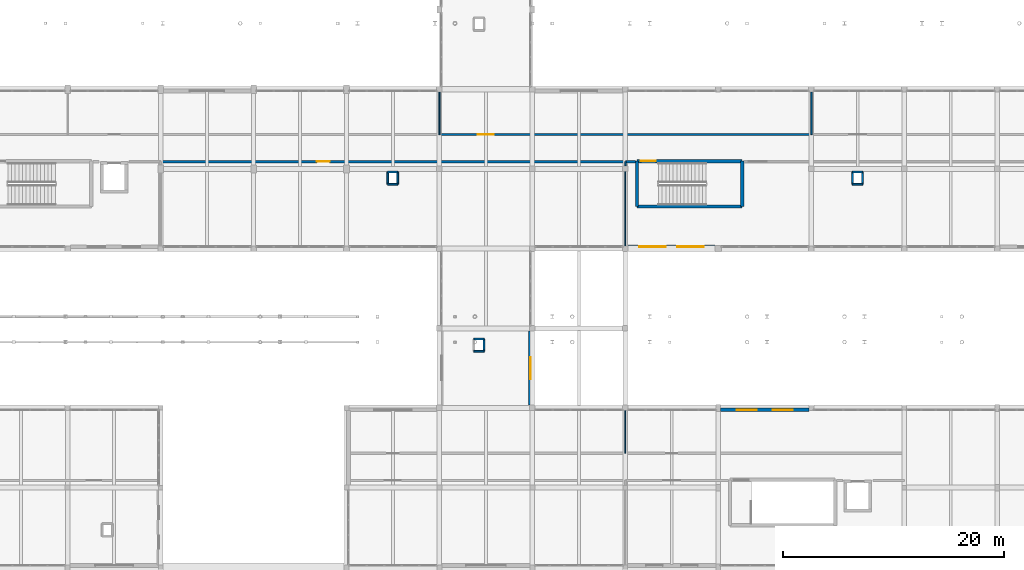
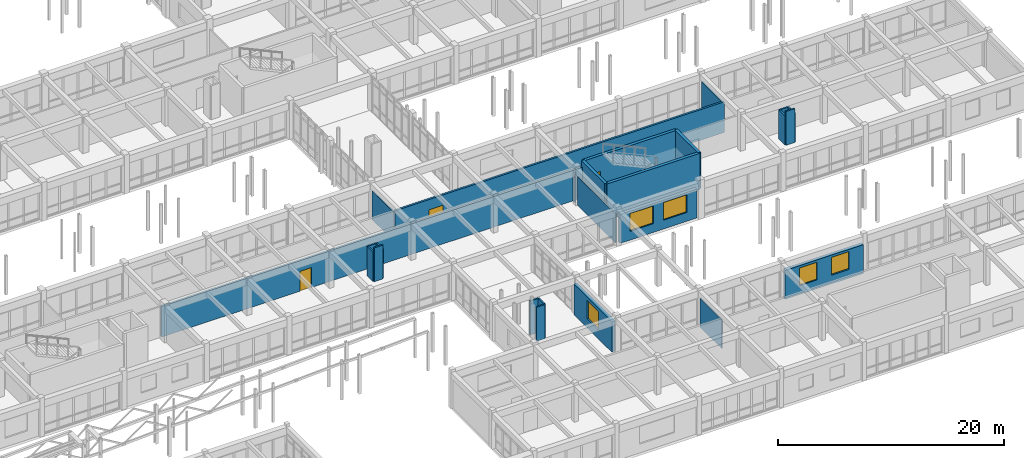
# One storey, part 128 of 147: 26 walls, 5 windows, 3 doors, 8 openings.
"""IFC4 building model written with IfcOpenShell, lengths in metres."""

import ifcopenshell
import ifcopenshell.guid

model = None  # the IFC model being written
_history = None  # IfcOwnerHistory: only IFC2X3 demands one
_inside = {}  # id of a spatial element -> (the spatial element, [elements in it])
_under = {}  # id of a project, library or spatial element -> (it, [spatial elements below it])
_declared = {}  # id of a project -> (the project, [libraries it declares])
_typed = {}  # id of a type object -> (the type object, [elements of that type])
_made_of = {}  # id of a material, layer set ... -> (it, [elements and type objects made of it])


def new_model(schema):
    """Start an empty IFC model of exactly this schema.

    Asked for "IFC4X3", IfcOpenShell would pick the latest addendum, in which some entities
    have other attributes; the version numbers below select the first issue.
    IFC2X3 requires an IfcOwnerHistory on every rooted entity: one is made here for all.
    """
    global model, _history
    if schema == "IFC4X3":
        model = ifcopenshell.file(schema_version=(4, 3, 0, 0))
    else:
        model = ifcopenshell.file(schema=schema)
    _inside.clear()
    _under.clear()
    _declared.clear()
    _typed.clear()
    _made_of.clear()
    _history = None
    if model.schema == "IFC2X3":
        org = make("IfcOrganization", Name="unknown")
        user = make(
            "IfcPersonAndOrganization",
            ThePerson=make("IfcPerson", FamilyName="unknown"),
            TheOrganization=org,
        )
        app = make(
            "IfcApplication",
            ApplicationDeveloper=org,
            Version="unknown",
            ApplicationFullName="unknown",
            ApplicationIdentifier="unknown",
        )
        _history = make(
            "IfcOwnerHistory",
            OwningUser=user,
            OwningApplication=app,
            ChangeAction="ADDED",
            CreationDate=0,
        )
    return model


def make(cls, **values):
    """One entity of the class cls with the attributes given. An attribute that is None is left unset."""
    return model.create_entity(
        cls, **{name: value for name, value in values.items() if value is not None}
    )


def rooted(cls, **values):
    """An entity with a GlobalId (a new one), such as an element, a storey or a relation."""
    return make(cls, GlobalId=ifcopenshell.guid.new(), OwnerHistory=_history, **values)


def si_unit(unit_type, name, prefix=None):
    """IfcSIUnit, for example si_unit("LENGTHUNIT", "METRE", prefix="MILLI")."""
    return make("IfcSIUnit", UnitType=unit_type, Prefix=prefix, Name=name)


def assignment(units):
    """IfcUnitAssignment: the units of a project."""
    return None if units is None else make("IfcUnitAssignment", Units=units)


def point(xyz):
    """IfcCartesianPoint."""
    return None if xyz is None else make("IfcCartesianPoint", Coordinates=xyz)


def direction(xyz):
    """IfcDirection."""
    return None if xyz is None else make("IfcDirection", DirectionRatios=xyz)


def frame(location, z_axis=None, x_axis=None):
    """IfcAxis2Placement3D, a coordinate frame: its origin and axes. An axis left out is left unset."""
    return make(
        "IfcAxis2Placement3D",
        Location=point(location),
        Axis=direction(z_axis),
        RefDirection=direction(x_axis),
    )


def frame_2d(location, x_axis=None):
    """IfcAxis2Placement2D, a coordinate frame in the plane: its origin and x axis."""
    return make(
        "IfcAxis2Placement2D", Location=point(location), RefDirection=direction(x_axis)
    )


def origin():
    """The frame at (0, 0, 0) with its axes left unset."""
    return frame((0.0, 0.0, 0.0))


def place(relative_to, where):
    """IfcLocalPlacement: puts the frame where relative to a parent placement (None: the world)."""
    return make(
        "IfcLocalPlacement", PlacementRelTo=relative_to, RelativePlacement=where
    )


def context(
    kind, dimensions, precision=None, world=None, true_north=None, identifier=None
):
    """IfcGeometricRepresentationContext, for example the 3D "Model" context."""
    return make(
        "IfcGeometricRepresentationContext",
        ContextIdentifier=identifier,
        ContextType=kind,
        CoordinateSpaceDimension=dimensions,
        Precision=precision,
        WorldCoordinateSystem=world,
        TrueNorth=true_north,
    )


def subcontext(parent, identifier, kind, view, scale=None):
    """IfcGeometricRepresentationSubContext, for example "Body" below "Model"."""
    return make(
        "IfcGeometricRepresentationSubContext",
        ContextIdentifier=identifier,
        ContextType=kind,
        ParentContext=parent,
        TargetScale=scale,
        TargetView=view,
    )


def project(units=None, contexts=None):
    """IfcProject with its units and contexts."""
    return rooted(
        "IfcProject",
        Name="project",
        RepresentationContexts=contexts,
        UnitsInContext=assignment(units),
    )


def spatial(cls, under=None, at=None, **own):
    """A site, building, storey or space (cls), placed at a placement, below another one or the project."""
    s = rooted(cls, ObjectPlacement=at, **own)
    if under is not None:
        _under.setdefault(under.id(), (under, []))[1].append(s)
    return s


def profile(cls, at=None, kind="AREA", **sizes):
    """A parametric profile (cls). Its sizes go by their IFC names, for example OverallWidth=200.0."""
    return make(cls, ProfileType=kind, Position=at, **sizes)


def rectangle(**sizes):
    """IfcRectangleProfileDef."""
    return profile("IfcRectangleProfileDef", **sizes)


def extrude(swept, where, along, depth):
    """IfcExtrudedAreaSolid: the profile swept, set in the frame where, extruded along a direction by depth."""
    return make(
        "IfcExtrudedAreaSolid",
        SweptArea=swept,
        Position=where,
        ExtrudedDirection=direction(along),
        Depth=depth,
    )


def shape(context_of_items, identifier, shape_type, items):
    """IfcShapeRepresentation: the items that make up one representation, for example the "Body"."""
    return make(
        "IfcShapeRepresentation",
        ContextOfItems=context_of_items,
        RepresentationIdentifier=identifier,
        RepresentationType=shape_type,
        Items=items,
    )


def material(Name=None, Category=None):
    """IfcMaterial."""
    return make("IfcMaterial", Name=Name, Category=Category)


def layer(
    of_material, thickness, ventilated=None, Name=None, Category=None, Priority=None
):
    """IfcMaterialLayer: one layer of a wall or slab, of a material (None: an air gap)."""
    return make(
        "IfcMaterialLayer",
        Material=of_material,
        LayerThickness=thickness,
        IsVentilated=ventilated,
        Name=Name,
        Category=Category,
        Priority=Priority,
    )


def layer_set(layers, Name=None):
    """IfcMaterialLayerSet."""
    return make("IfcMaterialLayerSet", MaterialLayers=layers, LayerSetName=Name)


def made_of(thing, what):
    """Note that an element or type object is made of a material, layer set ...; save() writes the relation."""
    if what is not None:
        _made_of.setdefault(what.id(), (what, []))[1].append(thing)
    return thing


def type_object(cls, material=None, **own):
    """A type object (cls), such as IfcWallType, which elements share."""
    return made_of(rooted(cls, **own), material)


def element(
    cls,
    number,
    at=None,
    inside=None,
    cuts=None,
    type_object=None,
    material=None,
    context=None,
    identifier="Body",
    shape_type=None,
    held_by="IfcProductDefinitionShape",
    body=None,
    shapes=None,
    **own,
):
    """One element of the class cls, such as IfcWall. Its Tag is "e" and its number.

    at: its placement. inside: the storey or other place that contains it. cuts: it is an
    opening in that element (IfcRelVoidsElement). A single representation is given by context,
    identifier, shape_type and body (its items); several are given by shapes. held_by: the class
    of the entity that holds the representations. save() writes the other relations.
    """
    e = rooted(cls, Tag="e%d" % number, ObjectPlacement=at, **own)
    if body is not None:
        shapes = [shape(context, identifier, shape_type, body)]
    if shapes is not None:
        e.Representation = make(held_by, Representations=shapes)
    if inside is not None:
        _inside.setdefault(inside.id(), (inside, []))[1].append(e)
    if cuts is not None:
        rooted(
            "IfcRelVoidsElement", RelatingBuildingElement=cuts, RelatedOpeningElement=e
        )
    if type_object is not None:
        _typed.setdefault(type_object.id(), (type_object, []))[1].append(e)
    return made_of(e, material)


def fill(opening, filler):
    """IfcRelFillsElement: the door or window that sits in an opening."""
    return rooted(
        "IfcRelFillsElement",
        RelatingOpeningElement=opening,
        RelatedBuildingElement=filler,
    )


def aggregate(whole, parts):
    """IfcRelAggregates: a whole, such as a stair, and the parts it consists of."""
    return rooted("IfcRelAggregates", RelatingObject=whole, RelatedObjects=parts)


def save(model, path):
    """Write the relations noted so far, then the file.

    IfcRelAggregates (storeys below a building ...), IfcRelContainedInSpatialStructure (elements
    in a storey), IfcRelDefinesByType, IfcRelAssociatesMaterial and IfcRelDeclares: one each for
    every whole, place, type object, material and project.
    """
    for whole, parts in _under.values():
        aggregate(whole, parts)
    for where, things in _inside.values():
        rooted(
            "IfcRelContainedInSpatialStructure",
            RelatedElements=things,
            RelatingStructure=where,
        )
    for kind, things in _typed.values():
        rooted("IfcRelDefinesByType", RelatedObjects=things, RelatingType=kind)
    for what, things in _made_of.values():
        rooted("IfcRelAssociatesMaterial", RelatedObjects=things, RelatingMaterial=what)
    for by, libraries in _declared.values():
        rooted("IfcRelDeclares", RelatingContext=by, RelatedDefinitions=libraries)
    model.write(path)


model = new_model("IFC4")

# Units and contexts
model_context = context("Model", 3, precision=1e-05, world=origin(), true_north=direction((0.0, 1.0)))
body_context = subcontext(model_context, "Body", "Model", "MODEL_VIEW")
ifc_project = project(units=[si_unit("LENGTHUNIT", "METRE"), si_unit("AREAUNIT", "SQUARE_METRE"), si_unit("VOLUMEUNIT", "CUBIC_METRE"), si_unit("PLANEANGLEUNIT", "RADIAN"), si_unit("MASSUNIT", "GRAM", prefix="KILO")], contexts=[model_context])

# Site, building, storey
site_placement = place(None, origin())
site = spatial("IfcSite", under=ifc_project, at=site_placement, CompositionType="ELEMENT")
building_placement = place(site_placement, origin())
building = spatial("IfcBuilding", under=site, at=building_placement, Name="Malvenik Polytechnic", CompositionType="ELEMENT")
storey_placement = place(building_placement, frame((0.0, 0.0, 5.10009765625)))
storey = spatial("IfcBuildingStorey", under=building, at=storey_placement, Name="L01", CompositionType="ELEMENT", Elevation=5.10009765625)

# Wall
ifc_material_1 = material(Name="Concrete C35/45", Category="concrete")
ifc_layer_1 = layer(ifc_material_1, 0.300048828125)
ifc_layer_set_1 = layer_set([ifc_layer_1], Name="Concrete C35/45")
wall_type_1 = type_object("IfcWallType", Name="ARC-CW-S300", PredefinedType="SHEAR", material=ifc_layer_set_1)
wall_1_placement = place(storey_placement, frame((93.449951171875, 54.199951171875, 0.0), z_axis=(0.0, 0.0, 1.0), x_axis=(0.0, 1.0, 0.0)))
element("IfcWall", 1, at=wall_1_placement, inside=storey, type_object=wall_type_1, Name="Stair Core Shear Wall ST-07 L01 NEAR", PredefinedType="SHEAR", context=body_context, shape_type="SweptSolid", body=[
    extrude(rectangle(XDim=4.10009765625, YDim=0.300048828125, at=frame_2d((2.050048828125, 0.0))), origin(), (0.0, 0.0, 1.0), 3.919921875),
])

# Wall, opening, door
wall_2_placement = place(storey_placement, frame((93.449951171875, 58.300048828125, 0.0), z_axis=(0.0, 0.0, 1.0), x_axis=(1.0, 0.0, 0.0)))
wall_2 = element("IfcWall", 2, at=wall_2_placement, inside=storey, type_object=wall_type_1, Name="Stair Core Shear Wall ST-07 L01 RGHT", PredefinedType="SHEAR", context=body_context, shape_type="SweptSolid", body=[
    extrude(rectangle(XDim=9.5, YDim=0.300048828125, at=frame_2d((4.75, 0.0))), origin(), (0.0, 0.0, 1.0), 3.919921875),
])
opening_1_placement = place(wall_2_placement, frame((0.35009765625, 0.0, 0.0)))
opening_1 = element("IfcOpeningElement", 3, at=opening_1_placement, cuts=wall_2, Name="Opening SD-01", PredefinedType="OPENING", context=body_context, shape_type="SweptSolid", body=[
    extrude(rectangle(XDim=1.35009765625, YDim=2.199951171875, at=frame_2d((0.675048828125, 1.10009765625))), frame((0.0, 0.16015625, 0.0), z_axis=(0.0, -1.0, 0.0), x_axis=(1.0, 0.0, 0.0)), (0.0, 0.0, 1.0), 0.320068359375),
])
ifc_material_2 = material(Name="Fire-rated steel stair enclosure door", Category="steel")
door_type_1 = type_object("IfcDoorType", Name="ARC-IDR-SD-01", OperationType="NOTDEFINED", PredefinedType="DOOR", material=ifc_material_2)
door_1_placement = place(opening_1_placement, origin())
door_1 = element("IfcDoor", 4, at=door_1_placement, inside=storey, type_object=door_type_1, Name="Fire Stair Door ST-07 L01", OperationType="SINGLE_SWING_RIGHT", OverallHeight=2.199951171875, OverallWidth=1.35009765625, PredefinedType="DOOR", context=body_context, shape_type="SweptSolid", body=[
    extrude(rectangle(XDim=1.35009765625, YDim=2.199951171875, at=frame_2d((0.675048828125, 1.10009765625))), frame((0.0, 0.02490234375, 0.0), z_axis=(0.0, -1.0, 0.0), x_axis=(1.0, 0.0, 0.0)), (0.0, 0.0, 1.0), 0.050048828125),
])
fill(opening_1, door_1)

# Walls
wall_3_placement = place(storey_placement, frame((102.949951171875, 58.300048828125, 0.0), z_axis=(0.0, 0.0, 1.0), x_axis=(0.0, -1.0, 0.0)))
element("IfcWall", 5, at=wall_3_placement, inside=storey, type_object=wall_type_1, Name="Stair Core Shear Wall ST-07 L01 FAR", PredefinedType="SHEAR", context=body_context, shape_type="SweptSolid", body=[
    extrude(rectangle(XDim=4.10009765625, YDim=0.300048828125, at=frame_2d((2.050048828125, 0.0))), origin(), (0.0, 0.0, 1.0), 3.919921875),
])
wall_4_placement = place(storey_placement, frame((102.949951171875, 54.199951171875, 0.0), z_axis=(0.0, 0.0, 1.0), x_axis=(-1.0, 0.0, 0.0)))
element("IfcWall", 6, at=wall_4_placement, inside=storey, type_object=wall_type_1, Name="Stair Core Shear Wall ST-07 L01 LEFT", PredefinedType="SHEAR", context=body_context, shape_type="SweptSolid", body=[
    extrude(rectangle(XDim=9.5, YDim=0.300048828125, at=frame_2d((4.75, 0.0))), origin(), (0.0, 0.0, 1.0), 3.919921875),
])

# Wall, openings, windows
ifc_material_3 = material(Name="Concrete C30/37", Category="concrete")
ifc_layer_2 = layer(ifc_material_3, 0.340087890625)
ifc_layer_set_2 = layer_set([ifc_layer_2], Name="Concrete C30/37")
wall_type_2 = type_object("IfcWallType", Name="ARC-EW-340", PredefinedType="SOLIDWALL", material=ifc_layer_set_2)
wall_5_placement = place(storey_placement, frame((100.501953125, 50.570068359375, 0.0), z_axis=(0.0, 0.0, 1.0), x_axis=(-1.0, 0.0, 0.0)))
wall_5 = element("IfcWall", 7, at=wall_5_placement, inside=storey, type_object=wall_type_2, Name="External Facade Wall EW-02 L01 #218", PredefinedType="SOLIDWALL", context=body_context, shape_type="SweptSolid", body=[
    extrude(rectangle(XDim=7.85400390625, YDim=0.340087890625, at=frame_2d((3.927001953125, 0.0))), origin(), (0.0, 0.0, 1.0), 3.10986328125),
])
opening_2_placement = place(wall_5_placement, frame((1.01806640625, 0.0, 0.949951171875)))
opening_2 = element("IfcOpeningElement", 8, at=opening_2_placement, cuts=wall_5, Name="Opening W-01", PredefinedType="OPENING", context=body_context, shape_type="SweptSolid", body=[
    extrude(rectangle(XDim=2.39990234375, YDim=1.909912109375, at=frame_2d((1.199951171875, 0.955078125))), frame((0.0, 0.18017578125, 0.0), z_axis=(0.0, -1.0, 0.0), x_axis=(1.0, 0.0, 0.0)), (0.0, 0.0, 1.0), 0.360107421875),
])
opening_3_placement = place(wall_5_placement, frame((4.43603515625, 0.0, 0.949951171875)))
opening_3 = element("IfcOpeningElement", 9, at=opening_3_placement, cuts=wall_5, Name="Opening W-01", PredefinedType="OPENING", context=body_context, shape_type="SweptSolid", body=[
    extrude(rectangle(XDim=2.39990234375, YDim=1.909912109375, at=frame_2d((1.199951171875, 0.955078125))), frame((0.0, 0.18017578125, 0.0), z_axis=(0.0, -1.0, 0.0), x_axis=(1.0, 0.0, 0.0)), (0.0, 0.0, 1.0), 0.360107421875),
])
ifc_material_4 = material(Name="Thermally broken aluminium frame with low-E double glazing", Category="aluminium")
window_type_1 = type_object("IfcWindowType", Name="ARC-WIN-W-01", PartitioningType="SINGLE_PANEL", PredefinedType="WINDOW", material=ifc_material_4)
window_1_placement = place(opening_2_placement, origin())
window_1 = element("IfcWindow", 10, at=window_1_placement, inside=storey, type_object=window_type_1, Name="Punched Window W-01 L01 #182", OverallHeight=1.909912109375, OverallWidth=2.39990234375, PartitioningType="SINGLE_PANEL", PredefinedType="WINDOW", context=body_context, shape_type="SweptSolid", body=[
    extrude(rectangle(XDim=2.39990234375, YDim=1.909912109375, at=frame_2d((1.199951171875, 0.955078125))), frame((0.0, 0.030029296875, 0.0), z_axis=(0.0, -1.0, 0.0), x_axis=(1.0, 0.0, 0.0)), (0.0, 0.0, 1.0), 0.06005859375),
])
fill(opening_2, window_1)
window_2_placement = place(opening_3_placement, origin())
window_2 = element("IfcWindow", 11, at=window_2_placement, inside=storey, type_object=window_type_1, Name="Punched Window W-01 L01 #183", OverallHeight=1.909912109375, OverallWidth=2.39990234375, PartitioningType="SINGLE_PANEL", PredefinedType="WINDOW", context=body_context, shape_type="SweptSolid", body=[
    extrude(rectangle(XDim=2.39990234375, YDim=1.909912109375, at=frame_2d((1.199951171875, 0.955078125))), frame((0.0, 0.030029296875, 0.0), z_axis=(0.0, -1.0, 0.0), x_axis=(1.0, 0.0, 0.0)), (0.0, 0.0, 1.0), 0.06005859375),
])
fill(opening_3, window_2)

# Wall, opening, window
wall_6_placement = place(storey_placement, frame((83.830078125, 42.951904296875, 0.0), z_axis=(0.0, 0.0, 1.0), x_axis=(0.0, -1.0, 0.0)))
wall_6 = element("IfcWall", 12, at=wall_6_placement, inside=storey, type_object=wall_type_2, Name="External Facade Wall EW-02 L01 #219", PredefinedType="SOLIDWALL", context=body_context, shape_type="SweptSolid", body=[
    extrude(rectangle(XDim=6.703857421875, YDim=0.340087890625, at=frame_2d((3.35205078125, 0.0))), origin(), (0.0, 0.0, 1.0), 3.309814453125),
])
opening_4_placement = place(wall_6_placement, frame((2.35205078125, 0.0, 0.949951171875)))
opening_4 = element("IfcOpeningElement", 13, at=opening_4_placement, cuts=wall_6, Name="Opening W-03", PredefinedType="OPENING", context=body_context, shape_type="SweptSolid", body=[
    extrude(rectangle(XDim=2.0, YDim=2.0, at=frame_2d((1.0, 1.0))), frame((0.0, 0.18017578125, 0.0), z_axis=(0.0, -1.0, 0.0), x_axis=(1.0, 0.0, 0.0)), (0.0, 0.0, 1.0), 0.360107421875),
])
window_type_2 = type_object("IfcWindowType", Name="ARC-WIN-W-03", PartitioningType="SINGLE_PANEL", PredefinedType="WINDOW", material=ifc_material_4)
window_3_placement = place(opening_4_placement, origin())
window_3 = element("IfcWindow", 14, at=window_3_placement, inside=storey, type_object=window_type_2, Name="Punched Window W-03 L01 #184", OverallHeight=2.0, OverallWidth=2.0, PartitioningType="SINGLE_PANEL", PredefinedType="WINDOW", context=body_context, shape_type="SweptSolid", body=[
    extrude(rectangle(XDim=2.0, YDim=2.0, at=frame_2d((1.0, 1.0))), frame((0.0, 0.030029296875, 0.0), z_axis=(0.0, -1.0, 0.0), x_axis=(1.0, 0.0, 0.0)), (0.0, 0.0, 1.0), 0.06005859375),
])
fill(opening_4, window_3)

# Wall, openings, windows
wall_7_placement = place(storey_placement, frame((100.998046875, 35.830078125, 0.0), z_axis=(0.0, 0.0, 1.0), x_axis=(1.0, 0.0, 0.0)))
wall_7 = element("IfcWall", 15, at=wall_7_placement, inside=storey, type_object=wall_type_2, Name="External Facade Wall EW-02 L01 #220", PredefinedType="SOLIDWALL", context=body_context, shape_type="SweptSolid", body=[
    extrude(rectangle(XDim=7.97900390625, YDim=0.340087890625, at=frame_2d((3.989501953125, 0.0))), origin(), (0.0, 0.0, 1.0), 3.10986328125),
])
opening_5_placement = place(wall_7_placement, frame((1.459716796875, 0.0, 0.949951171875)))
opening_5 = element("IfcOpeningElement", 16, at=opening_5_placement, cuts=wall_7, Name="Opening W-04", PredefinedType="OPENING", context=body_context, shape_type="SweptSolid", body=[
    extrude(rectangle(XDim=1.800048828125, YDim=1.909912109375, at=frame_2d((0.89990234375, 0.955078125))), frame((0.0, 0.18017578125, 0.0), z_axis=(0.0, -1.0, 0.0), x_axis=(1.0, 0.0, 0.0)), (0.0, 0.0, 1.0), 0.360107421875),
])
opening_6_placement = place(wall_7_placement, frame((4.719482421875, 0.0, 0.949951171875)))
opening_6 = element("IfcOpeningElement", 17, at=opening_6_placement, cuts=wall_7, Name="Opening W-04", PredefinedType="OPENING", context=body_context, shape_type="SweptSolid", body=[
    extrude(rectangle(XDim=1.800048828125, YDim=1.909912109375, at=frame_2d((0.89990234375, 0.955078125))), frame((0.0, 0.18017578125, 0.0), z_axis=(0.0, -1.0, 0.0), x_axis=(1.0, 0.0, 0.0)), (0.0, 0.0, 1.0), 0.360107421875),
])
window_type_3 = type_object("IfcWindowType", Name="ARC-WIN-W-04", PartitioningType="SINGLE_PANEL", PredefinedType="WINDOW", material=ifc_material_4)
window_4_placement = place(opening_5_placement, origin())
window_4 = element("IfcWindow", 18, at=window_4_placement, inside=storey, type_object=window_type_3, Name="Punched Window W-04 L01 #185", OverallHeight=1.909912109375, OverallWidth=1.800048828125, PartitioningType="SINGLE_PANEL", PredefinedType="WINDOW", context=body_context, shape_type="SweptSolid", body=[
    extrude(rectangle(XDim=1.800048828125, YDim=1.909912109375, at=frame_2d((0.89990234375, 0.955078125))), frame((0.0, 0.030029296875, 0.0), z_axis=(0.0, -1.0, 0.0), x_axis=(1.0, 0.0, 0.0)), (0.0, 0.0, 1.0), 0.06005859375),
])
fill(opening_5, window_4)
window_5_placement = place(opening_6_placement, origin())
window_5 = element("IfcWindow", 19, at=window_5_placement, inside=storey, type_object=window_type_3, Name="Punched Window W-04 L01 #186", OverallHeight=1.909912109375, OverallWidth=1.800048828125, PartitioningType="SINGLE_PANEL", PredefinedType="WINDOW", context=body_context, shape_type="SweptSolid", body=[
    extrude(rectangle(XDim=1.800048828125, YDim=1.909912109375, at=frame_2d((0.89990234375, 0.955078125))), frame((0.0, 0.030029296875, 0.0), z_axis=(0.0, -1.0, 0.0), x_axis=(1.0, 0.0, 0.0)), (0.0, 0.0, 1.0), 0.06005859375),
])
fill(opening_6, window_5)

# Wall, opening, door
ifc_material_5 = material(Name="Calcium silicate fire-rated blockwork 200mm", Category="masonry")
ifc_layer_3 = layer(ifc_material_5, 0.199951171875)
ifc_layer_set_3 = layer_set([ifc_layer_3], Name="Calcium silicate fire-rated blockwork 200mm")
wall_type_3 = type_object("IfcWallType", Name="ARC-FW-200", PredefinedType="SOLIDWALL", material=ifc_layer_set_3)
wall_8_placement = place(storey_placement, frame((75.60009765625, 60.699951171875, 0.0), z_axis=(0.0, 0.0, 1.0), x_axis=(1.0, 0.0, 0.0)))
wall_8 = element("IfcWall", 20, at=wall_8_placement, inside=storey, type_object=wall_type_3, Name="Interior Partition FW-02 L01 #200", PredefinedType="SOLIDWALL", context=body_context, shape_type="SweptSolid", body=[
    extrude(rectangle(XDim=33.599853515625, YDim=0.199951171875, at=frame_2d((16.7998046875, 0.0))), origin(), (0.0, 0.0, 1.0), 3.304931640625),
])
opening_7_placement = place(wall_8_placement, frame((3.47509765625, 0.0, 0.0)))
opening_7 = element("IfcOpeningElement", 21, at=opening_7_placement, cuts=wall_8, Name="Opening FD-08", PredefinedType="OPENING", context=body_context, shape_type="SweptSolid", body=[
    extrude(rectangle(XDim=1.449951171875, YDim=2.199951171875, at=frame_2d((0.72509765625, 1.10009765625))), frame((0.0, 0.10986328125, 0.0), z_axis=(0.0, -1.0, 0.0), x_axis=(1.0, 0.0, 0.0)), (0.0, 0.0, 1.0), 0.219970703125),
])
ifc_material_6 = material(Name="Fire-rated seminar corridor door", Category="steel")
door_type_2 = type_object("IfcDoorType", Name="ARC-IDR-FD-08", OperationType="NOTDEFINED", PredefinedType="DOOR", material=ifc_material_6)
door_2_placement = place(opening_7_placement, origin())
door_2 = element("IfcDoor", 22, at=door_2_placement, inside=storey, type_object=door_type_2, Name="Interior Door FD-08 L01 #85", OperationType="SINGLE_SWING_LEFT", OverallHeight=2.199951171875, OverallWidth=1.449951171875, PredefinedType="DOOR", context=body_context, shape_type="SweptSolid", body=[
    extrude(rectangle(XDim=1.449951171875, YDim=2.199951171875, at=frame_2d((0.72509765625, 1.10009765625))), frame((0.0, 0.02490234375, 0.0), z_axis=(0.0, -1.0, 0.0), x_axis=(1.0, 0.0, 0.0)), (0.0, 0.0, 1.0), 0.050048828125),
])
fill(opening_7, door_2)

wall_9_placement = place(storey_placement, frame((92.39990234375, 58.25, 0.0), z_axis=(0.0, 0.0, 1.0), x_axis=(-1.0, 0.0, 0.0)))
wall_9 = element("IfcWall", 23, at=wall_9_placement, inside=storey, type_object=wall_type_3, Name="Interior Partition FW-02 L01 #208", PredefinedType="SOLIDWALL", context=body_context, shape_type="SweptSolid", body=[
    extrude(rectangle(XDim=42.0, YDim=0.199951171875, at=frame_2d((21.0, 0.0))), origin(), (0.0, 0.0, 1.0), 3.304931640625),
])
opening_8_placement = place(wall_9_placement, frame((26.72509765625, 0.0, 0.0)))
opening_8 = element("IfcOpeningElement", 24, at=opening_8_placement, cuts=wall_9, Name="Opening FD-01", PredefinedType="OPENING", context=body_context, shape_type="SweptSolid", body=[
    extrude(rectangle(XDim=1.14990234375, YDim=2.14990234375, at=frame_2d((0.574951171875, 1.074951171875))), frame((0.0, 0.10986328125, 0.0), z_axis=(0.0, -1.0, 0.0), x_axis=(1.0, 0.0, 0.0)), (0.0, 0.0, 1.0), 0.219970703125),
])
ifc_material_7 = material(Name="Fire-rated timber acoustic corridor door", Category="wood")
door_type_3 = type_object("IfcDoorType", Name="ARC-IDR-FD-01", OperationType="NOTDEFINED", PredefinedType="DOOR", material=ifc_material_7)
door_3_placement = place(opening_8_placement, origin())
door_3 = element("IfcDoor", 25, at=door_3_placement, inside=storey, type_object=door_type_3, Name="Interior Door FD-01 L01 #88", OperationType="SINGLE_SWING_LEFT", OverallHeight=2.14990234375, OverallWidth=1.14990234375, PredefinedType="DOOR", context=body_context, shape_type="SweptSolid", body=[
    extrude(rectangle(XDim=1.14990234375, YDim=2.14990234375, at=frame_2d((0.574951171875, 1.074951171875))), frame((0.0, 0.02490234375, 0.0), z_axis=(0.0, -1.0, 0.0), x_axis=(1.0, 0.0, 0.0)), (0.0, 0.0, 1.0), 0.050048828125),
])
fill(opening_8, door_3)

# Walls
wall_10_placement = place(storey_placement, frame((93.31005859375, 58.25, 0.0), z_axis=(0.0, 0.0, 1.0), x_axis=(-1.0, 0.0, 0.0)))
element("IfcWall", 26, at=wall_10_placement, inside=storey, type_object=wall_type_3, Name="Interior Partition FW-02 L01 #212", PredefinedType="SOLIDWALL", context=body_context, shape_type="SweptSolid", body=[
    extrude(rectangle(XDim=0.91015625, YDim=0.199951171875, at=frame_2d((0.455078125, 0.0))), origin(), (0.0, 0.0, 1.0), 3.304931640625),
])
ifc_material_8 = material(Name="Lightweight gypsum partition 110mm", Category="gypsum")
ifc_layer_4 = layer(ifc_material_8, 0.110107421875)
ifc_layer_set_4 = layer_set([ifc_layer_4], Name="Lightweight gypsum partition 110mm")
wall_type_4 = type_object("IfcWallType", Name="ARC-PW-110", PredefinedType="PARTITIONING", material=ifc_layer_set_4)
wall_11_placement = place(storey_placement, frame((92.39990234375, 50.669921875, 0.0), z_axis=(0.0, 0.0, 1.0), x_axis=(0.0, 1.0, 0.0)))
element("IfcWall", 27, at=wall_11_placement, inside=storey, type_object=wall_type_4, Name="Interior Partition PW-04I L01 #209", PredefinedType="PARTITIONING", context=body_context, shape_type="SweptSolid", body=[
    extrude(rectangle(XDim=6.66015625, YDim=0.110107421875, at=frame_2d((3.330078125, 0.0))), origin(), (0.0, 0.0, 1.0), 3.10498046875),
])
wall_12_placement = place(storey_placement, frame((92.39990234375, 31.89990234375, 0.0), z_axis=(0.0, 0.0, 1.0), x_axis=(0.0, 1.0, 0.0)))
element("IfcWall", 28, at=wall_12_placement, inside=storey, type_object=wall_type_4, Name="Interior Partition PW-04I L01 #215", PredefinedType="PARTITIONING", context=body_context, shape_type="SweptSolid", body=[
    extrude(rectangle(XDim=3.830078125, YDim=0.110107421875, at=frame_2d((1.9150390625, 0.0))), origin(), (0.0, 0.0, 1.0), 3.10498046875),
])
ifc_material_9 = material(Name="Metal-stud gypsum board partition 125mm", Category="gypsum")
ifc_layer_5 = layer(ifc_material_9, 0.125)
ifc_layer_set_5 = layer_set([ifc_layer_5], Name="Metal-stud gypsum board partition 125mm")
wall_type_5 = type_object("IfcWallType", Name="ARC-PW-125", PredefinedType="PARTITIONING", material=ifc_layer_set_5)
wall_13_placement = place(storey_placement, frame((75.60009765625, 60.699951171875, 0.0), z_axis=(0.0, 0.0, 1.0), x_axis=(0.0, 1.0, 0.0)))
element("IfcWall", 29, at=wall_13_placement, inside=storey, type_object=wall_type_5, Name="Interior Partition PW-03I L01 #199", PredefinedType="PARTITIONING", context=body_context, shape_type="SweptSolid", body=[
    extrude(rectangle(XDim=3.830078125, YDim=0.125, at=frame_2d((1.9150390625, 0.0))), origin(), (0.0, 0.0, 1.0), 3.10498046875),
])
ifc_material_10 = material(Name="Acoustic metal-stud gypsum partition 140mm", Category="gypsum")
ifc_layer_6 = layer(ifc_material_10, 0.139892578125)
ifc_layer_set_6 = layer_set([ifc_layer_6], Name="Acoustic metal-stud gypsum partition 140mm")
wall_type_6 = type_object("IfcWallType", Name="ARC-PW-140", PredefinedType="PARTITIONING", material=ifc_layer_set_6)
wall_14_placement = place(storey_placement, frame((109.199951171875, 60.699951171875, 0.0), z_axis=(0.0, 0.0, 1.0), x_axis=(0.0, 1.0, 0.0)))
element("IfcWall", 30, at=wall_14_placement, inside=storey, type_object=wall_type_6, Name="Interior Partition PW-02I L01 #201", PredefinedType="PARTITIONING", context=body_context, shape_type="SweptSolid", body=[
    extrude(rectangle(XDim=3.830078125, YDim=0.139892578125, at=frame_2d((1.9150390625, 0.0))), origin(), (0.0, 0.0, 1.0), 3.10498046875),
])
wall_15_placement = place(storey_placement, frame((92.39990234375, 57.8701171875, 0.0), z_axis=(0.0, 0.0, 1.0), x_axis=(0.0, 1.0, 0.0)))
element("IfcWall", 31, at=wall_15_placement, inside=storey, type_object=wall_type_6, Name="Interior Partition PW-02I L01 #210", PredefinedType="PARTITIONING", context=body_context, shape_type="SweptSolid", body=[
    extrude(rectangle(XDim=0.3798828125, YDim=0.139892578125, at=frame_2d((0.18994140625, 0.0))), origin(), (0.0, 0.0, 1.0), 3.15478515625),
])
ifc_material_11 = material(Name="Double-stud acoustic gypsum board partition 160mm", Category="gypsum")
ifc_layer_7 = layer(ifc_material_11, 0.159912109375)
ifc_layer_set_7 = layer_set([ifc_layer_7], Name="Double-stud acoustic gypsum board partition 160mm")
wall_type_7 = type_object("IfcWallType", Name="ARC-PW-160", PredefinedType="PARTITIONING", material=ifc_layer_set_7)
wall_16_placement = place(storey_placement, frame((70.919921875, 56.219970703125, 0.0), z_axis=(0.0, 0.0, 1.0), x_axis=(1.0, 0.0, 0.0)))
element("IfcWall", 32, at=wall_16_placement, inside=storey, type_object=wall_type_7, Name="Riser Shaft Enclosure L01 #20S", PredefinedType="PARTITIONING", context=body_context, shape_type="SweptSolid", body=[
    extrude(rectangle(XDim=0.91015625, YDim=0.159912109375, at=frame_2d((0.455078125, 0.0))), origin(), (0.0, 0.0, 1.0), 3.64990234375),
])
wall_17_placement = place(storey_placement, frame((71.830078125, 57.330078125, 0.0), z_axis=(0.0, 0.0, 1.0), x_axis=(-1.0, 0.0, 0.0)))
element("IfcWall", 33, at=wall_17_placement, inside=storey, type_object=wall_type_7, Name="Riser Shaft Enclosure L01 #20N", PredefinedType="PARTITIONING", context=body_context, shape_type="SweptSolid", body=[
    extrude(rectangle(XDim=0.91015625, YDim=0.159912109375, at=frame_2d((0.455078125, 0.0))), origin(), (0.0, 0.0, 1.0), 3.15478515625),
])
for number, where, z_axis, x_axis, name in (
    (34, (70.919921875, 57.330078125, 0.0), (0.0, 0.0, 1.0), (0.0, -1.0, 0.0), "Riser Shaft Enclosure L01 #20W"),
    (35, (71.830078125, 56.219970703125, 0.0), (0.0, 0.0, 1.0), (0.0, 1.0, 0.0), "Riser Shaft Enclosure L01 #20E"),
):
    element("IfcWall", number, at=place(storey_placement, frame(where, z_axis=z_axis, x_axis=x_axis)), inside=storey, type_object=wall_type_7, Name=name, PredefinedType="PARTITIONING", context=body_context, shape_type="SweptSolid", body=[
        extrude(rectangle(XDim=1.110107421875, YDim=0.159912109375, at=frame_2d((0.55517578125, 0.0))), origin(), (0.0, 0.0, 1.0), 3.15478515625),
    ])
wall_18_placement = place(storey_placement, frame((112.919921875, 56.219970703125, 0.0), z_axis=(0.0, 0.0, 1.0), x_axis=(1.0, 0.0, 0.0)))
element("IfcWall", 36, at=wall_18_placement, inside=storey, type_object=wall_type_7, Name="Riser Shaft Enclosure L01 #21S", PredefinedType="PARTITIONING", context=body_context, shape_type="SweptSolid", body=[
    extrude(rectangle(XDim=0.91015625, YDim=0.159912109375, at=frame_2d((0.455078125, 0.0))), origin(), (0.0, 0.0, 1.0), 3.64990234375),
])
wall_19_placement = place(storey_placement, frame((113.830078125, 57.330078125, 0.0), z_axis=(0.0, 0.0, 1.0), x_axis=(-1.0, 0.0, 0.0)))
element("IfcWall", 37, at=wall_19_placement, inside=storey, type_object=wall_type_7, Name="Riser Shaft Enclosure L01 #21N", PredefinedType="PARTITIONING", context=body_context, shape_type="SweptSolid", body=[
    extrude(rectangle(XDim=0.91015625, YDim=0.159912109375, at=frame_2d((0.455078125, 0.0))), origin(), (0.0, 0.0, 1.0), 3.15478515625),
])
for number, where, z_axis, x_axis, name in (
    (38, (112.919921875, 57.330078125, 0.0), (0.0, 0.0, 1.0), (0.0, -1.0, 0.0), "Riser Shaft Enclosure L01 #21W"),
    (39, (113.830078125, 56.219970703125, 0.0), (0.0, 0.0, 1.0), (0.0, 1.0, 0.0), "Riser Shaft Enclosure L01 #21E"),
):
    element("IfcWall", number, at=place(storey_placement, frame(where, z_axis=z_axis, x_axis=x_axis)), inside=storey, type_object=wall_type_7, Name=name, PredefinedType="PARTITIONING", context=body_context, shape_type="SweptSolid", body=[
        extrude(rectangle(XDim=1.110107421875, YDim=0.159912109375, at=frame_2d((0.55517578125, 0.0))), origin(), (0.0, 0.0, 1.0), 3.15478515625),
    ])
for number, where, z_axis, x_axis, name in (
    (40, (78.719970703125, 41.1201171875, 0.0), (0.0, 0.0, 1.0), (1.0, 0.0, 0.0), "Riser Shaft Enclosure L01 #26S"),
    (41, (79.6298828125, 42.22998046875, 0.0), (0.0, 0.0, 1.0), (-1.0, 0.0, 0.0), "Riser Shaft Enclosure L01 #26N"),
):
    element("IfcWall", number, at=place(storey_placement, frame(where, z_axis=z_axis, x_axis=x_axis)), inside=storey, type_object=wall_type_7, Name=name, PredefinedType="PARTITIONING", context=body_context, shape_type="SweptSolid", body=[
        extrude(rectangle(XDim=0.909912109375, YDim=0.159912109375, at=frame_2d((0.455078125, 0.0))), origin(), (0.0, 0.0, 1.0), 3.64990234375),
    ])
wall_20_placement = place(storey_placement, frame((79.6298828125, 41.1201171875, 0.0), z_axis=(0.0, 0.0, 1.0), x_axis=(0.0, 1.0, 0.0)))
element("IfcWall", 42, at=wall_20_placement, inside=storey, type_object=wall_type_7, Name="Riser Shaft Enclosure L01 #26E", PredefinedType="PARTITIONING", context=body_context, shape_type="SweptSolid", body=[
    extrude(rectangle(XDim=1.10986328125, YDim=0.159912109375, at=frame_2d((0.554931640625, 0.0))), origin(), (0.0, 0.0, 1.0), 3.64990234375),
])

save(model, "model.ifc")
